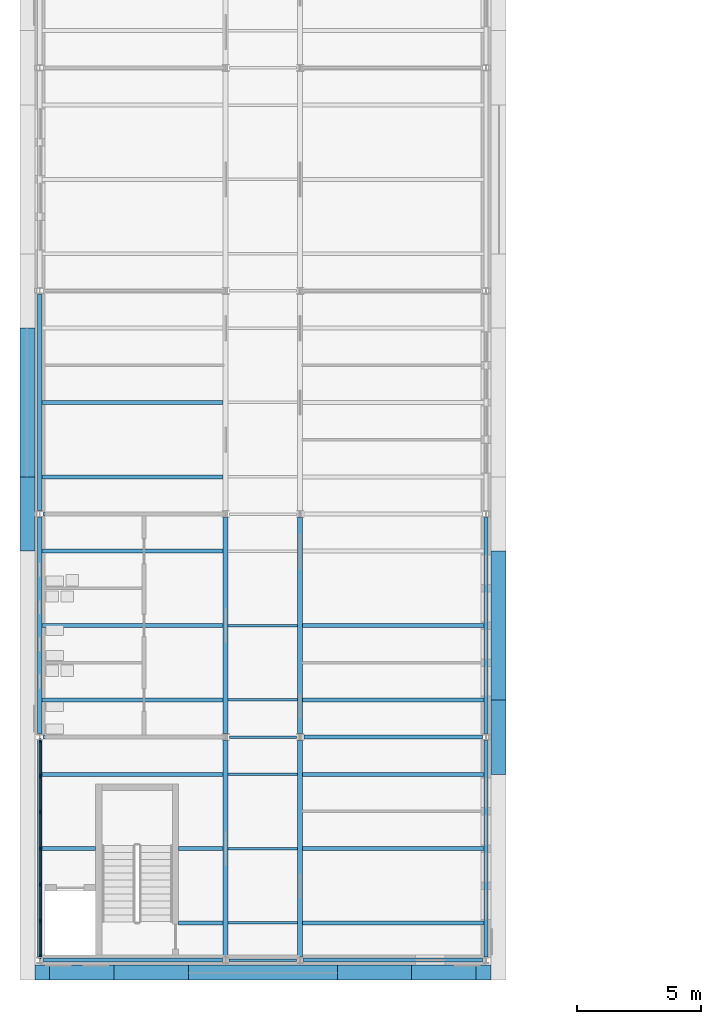
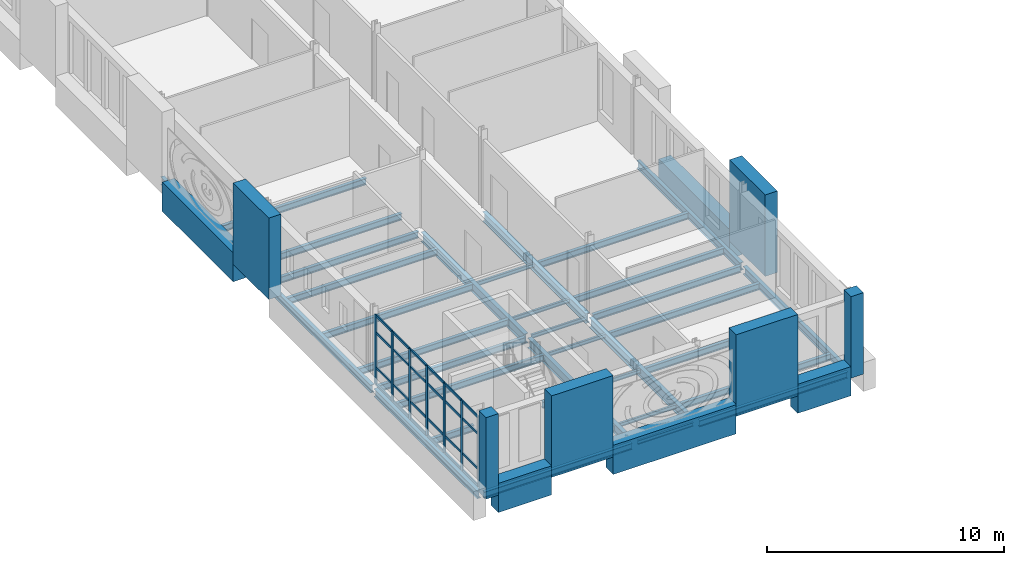
# One storey, part 16 of 121: 40 beams, 37 members, 1 element without a shape of its own.
"""IFC4 building model written with IfcOpenShell, lengths in metres."""

from ifc_helpers import new_model, si_unit, direction, frame, origin, origin_2d, place, context, subcontext, project, spatial, rectangle, i_section, extrude, material, layer, layer_set, material_profile, profile_set, type_object, element, aggregate, save


model = new_model("IFC4")

# Units and contexts
model_context = context("Model", 3, precision=1e-05, world=origin(), true_north=direction((0.0, 1.0)))
body_context = subcontext(model_context, "Body", "Model", "MODEL_VIEW")
ifc_project = project(units=[si_unit("LENGTHUNIT", "METRE"), si_unit("AREAUNIT", "SQUARE_METRE"), si_unit("VOLUMEUNIT", "CUBIC_METRE"), si_unit("PLANEANGLEUNIT", "RADIAN"), si_unit("MASSUNIT", "GRAM", prefix="KILO")], contexts=[model_context])

# Site, building, storey
site_placement = place(None, origin())
site = spatial("IfcSite", under=ifc_project, at=site_placement, CompositionType="ELEMENT")
building_placement = place(site_placement, origin())
building = spatial("IfcBuilding", under=site, at=building_placement, Name="Golden Quay Civic Hall", CompositionType="ELEMENT")
storey_placement = place(building_placement, frame((0.0, 0.0, 18.60009765625)))
storey = spatial("IfcBuildingStorey", under=building, at=storey_placement, Name="L04", CompositionType="ELEMENT", Elevation=18.60009765625)

# Curtain wall, members
ifc_material_1 = material(Name="Glass, laminated double glazed", Category="glass")
ifc_layer = layer(ifc_material_1, 0.199951171875)
ifc_layer_set = layer_set([ifc_layer], Name="Glazed core strip curtain wall")
curtain_wall_type = type_object("IfcCurtainWallType", Name="Glazed core strip curtain wall", PredefinedType="NOTDEFINED", material=ifc_layer_set)
curtain_wall_placement = place(storey_placement, origin())
curtain_wall = element("IfcCurtainWall", 1, at=curtain_wall_placement, inside=storey, type_object=curtain_wall_type, Name="Glazed core strip curtain wall L04 1", PredefinedType="NOTDEFINED")
ifc_material_2 = material(Name="Aluminium, anodised", Category="aluminium")
ifc_material_profile_1 = material_profile(ifc_material_2, rectangle(XDim=0.06005859375, YDim=0.159912109375, at=origin_2d()), Name="Aluminium 60 x 160")
ifc_profile_set_1 = profile_set([ifc_material_profile_1], Name="Aluminium, anodised")
member_type_1 = type_object("IfcMemberType", Name="Aluminium mullion 60 x 160", PredefinedType="MULLION", material=ifc_profile_set_1)
member_1_placement = place(storey_placement, frame((0.0, -8.85498046875, 0.0), z_axis=(0.0, 0.0, 1.0), x_axis=(-1.0, 0.0, 0.0)))
member_1 = element("IfcMember", 2, at=member_1_placement, type_object=member_type_1, Name="CW2 mullion 1", PredefinedType="MULLION", context=body_context, shape_type="SweptSolid", body=[
    extrude(rectangle(XDim=0.06005859375, YDim=0.159912109375, at=origin_2d()), origin(), (0.0, 0.0, 1.0), 3.599853515625),
])
member_2_placement = place(storey_placement, frame((0.0, -7.42333984375, 0.0), z_axis=(0.0, 0.0, 1.0), x_axis=(-1.0, 0.0, 0.0)))
member_2 = element("IfcMember", 3, at=member_2_placement, type_object=member_type_1, Name="CW2 mullion 2", PredefinedType="MULLION", context=body_context, shape_type="SweptSolid", body=[
    extrude(rectangle(XDim=0.06005859375, YDim=0.159912109375, at=origin_2d()), origin(), (0.0, 0.0, 1.0), 3.599853515625),
])
member_3_placement = place(storey_placement, frame((0.0, -5.961669921875, 0.0), z_axis=(0.0, 0.0, 1.0), x_axis=(-1.0, 0.0, 0.0)))
member_3 = element("IfcMember", 4, at=member_3_placement, type_object=member_type_1, Name="CW2 mullion 3", PredefinedType="MULLION", context=body_context, shape_type="SweptSolid", body=[
    extrude(rectangle(XDim=0.06005859375, YDim=0.159912109375, at=origin_2d()), origin(), (0.0, 0.0, 1.0), 3.599853515625),
])
member_4_placement = place(storey_placement, frame((0.0, -4.5, 0.0), z_axis=(0.0, 0.0, 1.0), x_axis=(-1.0, 0.0, 0.0)))
member_4 = element("IfcMember", 5, at=member_4_placement, type_object=member_type_1, Name="CW2 mullion 4", PredefinedType="MULLION", context=body_context, shape_type="SweptSolid", body=[
    extrude(rectangle(XDim=0.06005859375, YDim=0.159912109375, at=origin_2d()), origin(), (0.0, 0.0, 1.0), 3.599853515625),
])
member_5_placement = place(storey_placement, frame((0.0, -3.038330078125, 0.0), z_axis=(0.0, 0.0, 1.0), x_axis=(-1.0, 0.0, 0.0)))
member_5 = element("IfcMember", 6, at=member_5_placement, type_object=member_type_1, Name="CW2 mullion 5", PredefinedType="MULLION", context=body_context, shape_type="SweptSolid", body=[
    extrude(rectangle(XDim=0.06005859375, YDim=0.159912109375, at=origin_2d()), origin(), (0.0, 0.0, 1.0), 3.599853515625),
])
member_6_placement = place(storey_placement, frame((0.0, -1.57666015625, 0.0), z_axis=(0.0, 0.0, 1.0), x_axis=(-1.0, 0.0, 0.0)))
member_6 = element("IfcMember", 7, at=member_6_placement, type_object=member_type_1, Name="CW2 mullion 6", PredefinedType="MULLION", context=body_context, shape_type="SweptSolid", body=[
    extrude(rectangle(XDim=0.06005859375, YDim=0.159912109375, at=origin_2d()), origin(), (0.0, 0.0, 1.0), 3.599853515625),
])
member_7_placement = place(storey_placement, frame((0.0, -0.14501953125, 0.0), z_axis=(0.0, 0.0, 1.0), x_axis=(-1.0, 0.0, 0.0)))
member_7 = element("IfcMember", 8, at=member_7_placement, type_object=member_type_1, Name="CW2 mullion 7", PredefinedType="MULLION", context=body_context, shape_type="SweptSolid", body=[
    extrude(rectangle(XDim=0.06005859375, YDim=0.159912109375, at=origin_2d()), origin(), (0.0, 0.0, 1.0), 3.599853515625),
])
ifc_material_3 = material(Name="Aluminium, anodised", Category="aluminium")
ifc_material_profile_2 = material_profile(ifc_material_3, rectangle(XDim=0.06005859375, YDim=0.1201171875, at=origin_2d()), Name="Aluminium 60 x 120")
ifc_profile_set_2 = profile_set([ifc_material_profile_2], Name="Aluminium, anodised")
member_type_2 = type_object("IfcMemberType", Name="Aluminium transom 60 x 120", PredefinedType="USERDEFINED", material=ifc_profile_set_2)
member_8_placement = place(storey_placement, frame((0.0, -8.824951171875, 0.02978515625), z_axis=(0.0, 1.0, 0.0), x_axis=(-1.0, 0.0, 0.0)))
member_8 = element("IfcMember", 9, at=member_8_placement, type_object=member_type_2, Name="CW2 transom 1.1", ObjectType="TRANSOM", PredefinedType="USERDEFINED", context=body_context, shape_type="SweptSolid", body=[
    extrude(rectangle(XDim=0.06005859375, YDim=0.1201171875, at=origin_2d()), origin(), (0.0, 0.0, 1.0), 1.37158203125),
])
member_9_placement = place(storey_placement, frame((0.0, -8.824951171875, 0.89990234375), z_axis=(0.0, 1.0, 0.0), x_axis=(-1.0, 0.0, 0.0)))
member_9 = element("IfcMember", 10, at=member_9_placement, type_object=member_type_2, Name="CW2 transom 1.2", ObjectType="TRANSOM", PredefinedType="USERDEFINED", context=body_context, shape_type="SweptSolid", body=[
    extrude(rectangle(XDim=0.06005859375, YDim=0.1201171875, at=origin_2d()), origin(), (0.0, 0.0, 1.0), 1.37158203125),
])
member_10_placement = place(storey_placement, frame((0.0, -8.824951171875, 2.699951171875), z_axis=(0.0, 1.0, 0.0), x_axis=(-1.0, 0.0, 0.0)))
member_10 = element("IfcMember", 11, at=member_10_placement, type_object=member_type_2, Name="CW2 transom 1.3", ObjectType="TRANSOM", PredefinedType="USERDEFINED", context=body_context, shape_type="SweptSolid", body=[
    extrude(rectangle(XDim=0.06005859375, YDim=0.1201171875, at=origin_2d()), origin(), (0.0, 0.0, 1.0), 1.37158203125),
])
member_11_placement = place(storey_placement, frame((0.0, -8.824951171875, 3.56982421875), z_axis=(0.0, 1.0, 0.0), x_axis=(-1.0, 0.0, 0.0)))
member_11 = element("IfcMember", 12, at=member_11_placement, type_object=member_type_2, Name="CW2 transom 1.4", ObjectType="TRANSOM", PredefinedType="USERDEFINED", context=body_context, shape_type="SweptSolid", body=[
    extrude(rectangle(XDim=0.06005859375, YDim=0.1201171875, at=origin_2d()), origin(), (0.0, 0.0, 1.0), 1.37158203125),
])
member_12_placement = place(storey_placement, frame((0.0, -7.393310546875, 0.02978515625), z_axis=(0.0, 1.0, 0.0), x_axis=(-1.0, 0.0, 0.0)))
member_12 = element("IfcMember", 13, at=member_12_placement, type_object=member_type_2, Name="CW2 transom 2.1", ObjectType="TRANSOM", PredefinedType="USERDEFINED", context=body_context, shape_type="SweptSolid", body=[
    extrude(rectangle(XDim=0.06005859375, YDim=0.1201171875, at=origin_2d()), origin(), (0.0, 0.0, 1.0), 1.401611328125),
])
member_13_placement = place(storey_placement, frame((0.0, -7.393310546875, 0.89990234375), z_axis=(0.0, 1.0, 0.0), x_axis=(-1.0, 0.0, 0.0)))
member_13 = element("IfcMember", 14, at=member_13_placement, type_object=member_type_2, Name="CW2 transom 2.2", ObjectType="TRANSOM", PredefinedType="USERDEFINED", context=body_context, shape_type="SweptSolid", body=[
    extrude(rectangle(XDim=0.06005859375, YDim=0.1201171875, at=origin_2d()), origin(), (0.0, 0.0, 1.0), 1.401611328125),
])
member_14_placement = place(storey_placement, frame((0.0, -7.393310546875, 2.699951171875), z_axis=(0.0, 1.0, 0.0), x_axis=(-1.0, 0.0, 0.0)))
member_14 = element("IfcMember", 15, at=member_14_placement, type_object=member_type_2, Name="CW2 transom 2.3", ObjectType="TRANSOM", PredefinedType="USERDEFINED", context=body_context, shape_type="SweptSolid", body=[
    extrude(rectangle(XDim=0.06005859375, YDim=0.1201171875, at=origin_2d()), origin(), (0.0, 0.0, 1.0), 1.401611328125),
])
member_15_placement = place(storey_placement, frame((0.0, -7.393310546875, 3.56982421875), z_axis=(0.0, 1.0, 0.0), x_axis=(-1.0, 0.0, 0.0)))
member_15 = element("IfcMember", 16, at=member_15_placement, type_object=member_type_2, Name="CW2 transom 2.4", ObjectType="TRANSOM", PredefinedType="USERDEFINED", context=body_context, shape_type="SweptSolid", body=[
    extrude(rectangle(XDim=0.06005859375, YDim=0.1201171875, at=origin_2d()), origin(), (0.0, 0.0, 1.0), 1.401611328125),
])
member_16_placement = place(storey_placement, frame((0.0, -5.931640625, 0.02978515625), z_axis=(0.0, 1.0, 0.0), x_axis=(-1.0, 0.0, 0.0)))
member_16 = element("IfcMember", 17, at=member_16_placement, type_object=member_type_2, Name="CW2 transom 3.1", ObjectType="TRANSOM", PredefinedType="USERDEFINED", context=body_context, shape_type="SweptSolid", body=[
    extrude(rectangle(XDim=0.06005859375, YDim=0.1201171875, at=origin_2d()), origin(), (0.0, 0.0, 1.0), 1.401611328125),
])
member_17_placement = place(storey_placement, frame((0.0, -5.931640625, 0.89990234375), z_axis=(0.0, 1.0, 0.0), x_axis=(-1.0, 0.0, 0.0)))
member_17 = element("IfcMember", 18, at=member_17_placement, type_object=member_type_2, Name="CW2 transom 3.2", ObjectType="TRANSOM", PredefinedType="USERDEFINED", context=body_context, shape_type="SweptSolid", body=[
    extrude(rectangle(XDim=0.06005859375, YDim=0.1201171875, at=origin_2d()), origin(), (0.0, 0.0, 1.0), 1.401611328125),
])
member_18_placement = place(storey_placement, frame((0.0, -5.931640625, 2.699951171875), z_axis=(0.0, 1.0, 0.0), x_axis=(-1.0, 0.0, 0.0)))
member_18 = element("IfcMember", 19, at=member_18_placement, type_object=member_type_2, Name="CW2 transom 3.3", ObjectType="TRANSOM", PredefinedType="USERDEFINED", context=body_context, shape_type="SweptSolid", body=[
    extrude(rectangle(XDim=0.06005859375, YDim=0.1201171875, at=origin_2d()), origin(), (0.0, 0.0, 1.0), 1.401611328125),
])
member_19_placement = place(storey_placement, frame((0.0, -5.931640625, 3.56982421875), z_axis=(0.0, 1.0, 0.0), x_axis=(-1.0, 0.0, 0.0)))
member_19 = element("IfcMember", 20, at=member_19_placement, type_object=member_type_2, Name="CW2 transom 3.4", ObjectType="TRANSOM", PredefinedType="USERDEFINED", context=body_context, shape_type="SweptSolid", body=[
    extrude(rectangle(XDim=0.06005859375, YDim=0.1201171875, at=origin_2d()), origin(), (0.0, 0.0, 1.0), 1.401611328125),
])
member_20_placement = place(storey_placement, frame((0.0, -4.469970703125, 0.02978515625), z_axis=(0.0, 1.0, 0.0), x_axis=(-1.0, 0.0, 0.0)))
member_20 = element("IfcMember", 21, at=member_20_placement, type_object=member_type_2, Name="CW2 transom 4.1", ObjectType="TRANSOM", PredefinedType="USERDEFINED", context=body_context, shape_type="SweptSolid", body=[
    extrude(rectangle(XDim=0.06005859375, YDim=0.1201171875, at=origin_2d()), origin(), (0.0, 0.0, 1.0), 1.401611328125),
])
member_21_placement = place(storey_placement, frame((0.0, -4.469970703125, 0.89990234375), z_axis=(0.0, 1.0, 0.0), x_axis=(-1.0, 0.0, 0.0)))
member_21 = element("IfcMember", 22, at=member_21_placement, type_object=member_type_2, Name="CW2 transom 4.2", ObjectType="TRANSOM", PredefinedType="USERDEFINED", context=body_context, shape_type="SweptSolid", body=[
    extrude(rectangle(XDim=0.06005859375, YDim=0.1201171875, at=origin_2d()), origin(), (0.0, 0.0, 1.0), 1.401611328125),
])
member_22_placement = place(storey_placement, frame((0.0, -4.469970703125, 2.699951171875), z_axis=(0.0, 1.0, 0.0), x_axis=(-1.0, 0.0, 0.0)))
member_22 = element("IfcMember", 23, at=member_22_placement, type_object=member_type_2, Name="CW2 transom 4.3", ObjectType="TRANSOM", PredefinedType="USERDEFINED", context=body_context, shape_type="SweptSolid", body=[
    extrude(rectangle(XDim=0.06005859375, YDim=0.1201171875, at=origin_2d()), origin(), (0.0, 0.0, 1.0), 1.401611328125),
])
member_23_placement = place(storey_placement, frame((0.0, -4.469970703125, 3.56982421875), z_axis=(0.0, 1.0, 0.0), x_axis=(-1.0, 0.0, 0.0)))
member_23 = element("IfcMember", 24, at=member_23_placement, type_object=member_type_2, Name="CW2 transom 4.4", ObjectType="TRANSOM", PredefinedType="USERDEFINED", context=body_context, shape_type="SweptSolid", body=[
    extrude(rectangle(XDim=0.06005859375, YDim=0.1201171875, at=origin_2d()), origin(), (0.0, 0.0, 1.0), 1.401611328125),
])
member_24_placement = place(storey_placement, frame((0.0, -3.00830078125, 0.02978515625), z_axis=(0.0, 1.0, 0.0), x_axis=(-1.0, 0.0, 0.0)))
member_24 = element("IfcMember", 25, at=member_24_placement, type_object=member_type_2, Name="CW2 transom 5.1", ObjectType="TRANSOM", PredefinedType="USERDEFINED", context=body_context, shape_type="SweptSolid", body=[
    extrude(rectangle(XDim=0.06005859375, YDim=0.1201171875, at=origin_2d()), origin(), (0.0, 0.0, 1.0), 1.401611328125),
])
member_25_placement = place(storey_placement, frame((0.0, -3.00830078125, 0.89990234375), z_axis=(0.0, 1.0, 0.0), x_axis=(-1.0, 0.0, 0.0)))
member_25 = element("IfcMember", 26, at=member_25_placement, type_object=member_type_2, Name="CW2 transom 5.2", ObjectType="TRANSOM", PredefinedType="USERDEFINED", context=body_context, shape_type="SweptSolid", body=[
    extrude(rectangle(XDim=0.06005859375, YDim=0.1201171875, at=origin_2d()), origin(), (0.0, 0.0, 1.0), 1.401611328125),
])
member_26_placement = place(storey_placement, frame((0.0, -3.00830078125, 2.699951171875), z_axis=(0.0, 1.0, 0.0), x_axis=(-1.0, 0.0, 0.0)))
member_26 = element("IfcMember", 27, at=member_26_placement, type_object=member_type_2, Name="CW2 transom 5.3", ObjectType="TRANSOM", PredefinedType="USERDEFINED", context=body_context, shape_type="SweptSolid", body=[
    extrude(rectangle(XDim=0.06005859375, YDim=0.1201171875, at=origin_2d()), origin(), (0.0, 0.0, 1.0), 1.401611328125),
])
member_27_placement = place(storey_placement, frame((0.0, -3.00830078125, 3.56982421875), z_axis=(0.0, 1.0, 0.0), x_axis=(-1.0, 0.0, 0.0)))
member_27 = element("IfcMember", 28, at=member_27_placement, type_object=member_type_2, Name="CW2 transom 5.4", ObjectType="TRANSOM", PredefinedType="USERDEFINED", context=body_context, shape_type="SweptSolid", body=[
    extrude(rectangle(XDim=0.06005859375, YDim=0.1201171875, at=origin_2d()), origin(), (0.0, 0.0, 1.0), 1.401611328125),
])
member_28_placement = place(storey_placement, frame((0.0, -1.546630859375, 0.02978515625), z_axis=(0.0, 1.0, 0.0), x_axis=(-1.0, 0.0, 0.0)))
member_28 = element("IfcMember", 29, at=member_28_placement, type_object=member_type_2, Name="CW2 transom 6.1", ObjectType="TRANSOM", PredefinedType="USERDEFINED", context=body_context, shape_type="SweptSolid", body=[
    extrude(rectangle(XDim=0.06005859375, YDim=0.1201171875, at=origin_2d()), origin(), (0.0, 0.0, 1.0), 1.37158203125),
])
member_29_placement = place(storey_placement, frame((0.0, -1.546630859375, 0.89990234375), z_axis=(0.0, 1.0, 0.0), x_axis=(-1.0, 0.0, 0.0)))
member_29 = element("IfcMember", 30, at=member_29_placement, type_object=member_type_2, Name="CW2 transom 6.2", ObjectType="TRANSOM", PredefinedType="USERDEFINED", context=body_context, shape_type="SweptSolid", body=[
    extrude(rectangle(XDim=0.06005859375, YDim=0.1201171875, at=origin_2d()), origin(), (0.0, 0.0, 1.0), 1.37158203125),
])
member_30_placement = place(storey_placement, frame((0.0, -1.546630859375, 2.699951171875), z_axis=(0.0, 1.0, 0.0), x_axis=(-1.0, 0.0, 0.0)))
member_30 = element("IfcMember", 31, at=member_30_placement, type_object=member_type_2, Name="CW2 transom 6.3", ObjectType="TRANSOM", PredefinedType="USERDEFINED", context=body_context, shape_type="SweptSolid", body=[
    extrude(rectangle(XDim=0.06005859375, YDim=0.1201171875, at=origin_2d()), origin(), (0.0, 0.0, 1.0), 1.37158203125),
])
member_31_placement = place(storey_placement, frame((0.0, -1.546630859375, 3.56982421875), z_axis=(0.0, 1.0, 0.0), x_axis=(-1.0, 0.0, 0.0)))
member_31 = element("IfcMember", 32, at=member_31_placement, type_object=member_type_2, Name="CW2 transom 6.4", ObjectType="TRANSOM", PredefinedType="USERDEFINED", context=body_context, shape_type="SweptSolid", body=[
    extrude(rectangle(XDim=0.06005859375, YDim=0.1201171875, at=origin_2d()), origin(), (0.0, 0.0, 1.0), 1.37158203125),
])
aggregate(curtain_wall, [member_1, member_2, member_3, member_4, member_5, member_6, member_7, member_8, member_9, member_10, member_11, member_12, member_13, member_14, member_15, member_16, member_17, member_18, member_19, member_20, member_21, member_22, member_23, member_24, member_25, member_26, member_27, member_28, member_29, member_30, member_31])

# Members
ifc_material_4 = material(Name="Concrete C40/50", Category="concrete")
ifc_material_profile_3 = material_profile(ifc_material_4, rectangle(XDim=3.0, YDim=0.60009765625, at=origin_2d()), Name="RC 3000x600")
ifc_profile_set_3 = profile_set([ifc_material_profile_3], Name="Concrete C40/50")
member_type_3 = type_object("IfcMemberType", Name="Precast concrete facade pier 3000 x 600", PredefinedType="POST", material=ifc_profile_set_3)
for number, where, z_axis, x_axis, name in (
    (33, (-0.5, 9.0, 0.0), (0.0, 0.0, 1.0), (0.0, 1.0, 0.0), "Precast concrete facade pier 3000 x 600 L04 1"),
    (34, (18.5, 0.0, 0.0), (0.0, 0.0, 1.0), (0.0, 1.0, 0.0), "Precast concrete facade pier 3000 x 600 L04 11"),
    (35, (4.5, -9.5, 0.0), (0.0, 0.0, 1.0), (1.0, 0.0, 0.0), "Precast concrete facade pier 3000 x 600 L04 17"),
    (36, (13.5, -9.5, 0.0), (0.0, 0.0, 1.0), (1.0, 0.0, 0.0), "Precast concrete facade pier 3000 x 600 L04 18"),
):
    element("IfcMember", number, at=place(storey_placement, frame(where, z_axis=z_axis, x_axis=x_axis)), inside=storey, type_object=member_type_3, Name=name, PredefinedType="POST", context=body_context, shape_type="SweptSolid", body=[
        extrude(rectangle(XDim=3.0, YDim=0.60009765625, at=origin_2d()), origin(), (0.0, 0.0, 1.0), 4.199951171875),
    ])
ifc_material_5 = material(Name="Concrete C40/50", Category="concrete")
ifc_material_profile_4 = material_profile(ifc_material_5, rectangle(XDim=0.60009765625, YDim=0.60009765625, at=origin_2d()), Name="RC 600x600")
ifc_profile_set_4 = profile_set([ifc_material_profile_4], Name="Concrete C40/50")
member_type_4 = type_object("IfcMemberType", Name="Precast concrete facade post 600 x 600", PredefinedType="POST", material=ifc_profile_set_4)
for number, where, z_axis, x_axis, name in (
    (37, (0.10009765625, -9.5, 0.0), (0.0, 0.0, 1.0), (1.0, 0.0, 0.0), "Precast concrete facade post 600 x 600 L04 4"),
    (38, (17.89990234375, -9.5, 0.0), (0.0, 0.0, 1.0), (1.0, 0.0, 0.0), "Precast concrete facade post 600 x 600 L04 5"),
):
    element("IfcMember", number, at=place(storey_placement, frame(where, z_axis=z_axis, x_axis=x_axis)), inside=storey, type_object=member_type_4, Name=name, PredefinedType="POST", context=body_context, shape_type="SweptSolid", body=[
        extrude(rectangle(XDim=0.60009765625, YDim=0.60009765625, at=origin_2d()), origin(), (0.0, 0.0, 1.0), 4.199951171875),
    ])

# Beams
ifc_material_6 = material(Name="Concrete C40/50", Category="concrete")
ifc_material_profile_5 = material_profile(ifc_material_6, rectangle(XDim=0.60009765625, YDim=1.5, at=origin_2d()), Name="RC 600x1500")
ifc_profile_set_5 = profile_set([ifc_material_profile_5], Name="Concrete C40/50")
beam_type_1 = type_object("IfcBeamType", Name="Precast concrete spandrel beam 600 x 1500", PredefinedType="SPANDREL", material=ifc_profile_set_5)
beam_1_placement = place(storey_placement, frame((-0.5, 10.5, -0.150146484375), z_axis=(0.0, 1.0, 0.0), x_axis=(-1.0, 0.0, 0.0)))
element("IfcBeam", 39, at=beam_1_placement, inside=storey, type_object=beam_type_1, Name="Precast concrete spandrel beam 600 x 1500 L04 11", PredefinedType="SPANDREL", context=body_context, shape_type="SweptSolid", body=[
    extrude(rectangle(XDim=0.60009765625, YDim=1.5, at=origin_2d()), origin(), (0.0, 0.0, 1.0), 6.0),
])
for number, where, z_axis, x_axis, name in (
    (40, (0.39990234375, -9.5, -0.150146484375), (1.0, 0.0, 0.0), (0.0, 1.0, 0.0), "Precast concrete spandrel beam 600 x 1500 L04 12"),
    (41, (15.0, -9.5, -0.150146484375), (1.0, 0.0, 0.0), (0.0, 1.0, 0.0), "Precast concrete spandrel beam 600 x 1500 L04 13"),
):
    element("IfcBeam", number, at=place(storey_placement, frame(where, z_axis=z_axis, x_axis=x_axis)), inside=storey, type_object=beam_type_1, Name=name, PredefinedType="SPANDREL", context=body_context, shape_type="SweptSolid", body=[
        extrude(rectangle(XDim=0.60009765625, YDim=1.5, at=origin_2d()), origin(), (0.0, 0.0, 1.0), 2.60009765625),
    ])
for number, where, z_axis, x_axis, name in (
    (42, (6.0, -9.5, -0.150146484375), (1.0, 0.0, 0.0), (0.0, 1.0, 0.0), "Precast concrete spandrel beam 600 x 1500 L04 14"),
    (43, (18.5, 1.5, -0.150146484375), (0.0, 1.0, 0.0), (-1.0, 0.0, 0.0), "Precast concrete spandrel beam 600 x 1500 L04 19"),
):
    element("IfcBeam", number, at=place(storey_placement, frame(where, z_axis=z_axis, x_axis=x_axis)), inside=storey, type_object=beam_type_1, Name=name, PredefinedType="SPANDREL", context=body_context, shape_type="SweptSolid", body=[
        extrude(rectangle(XDim=0.60009765625, YDim=1.5, at=origin_2d()), origin(), (0.0, 0.0, 1.0), 6.0),
    ])
ifc_material_7 = material(Name="Steel S355", Category="steel")
ifc_material_profile_6 = material_profile(ifc_material_7, i_section(OverallWidth=0.10009765625, OverallDepth=0.199951171875, WebThickness=0.005615234375, FlangeThickness=0.008544921875, FilletRadius=0.011962890625, at=origin_2d()), Name="IPE 200")
ifc_profile_set_6 = profile_set([ifc_material_profile_6], Name="Steel S355")
beam_type_2 = type_object("IfcBeamType", Name="Steel beam IPE 200", PredefinedType="BEAM", material=ifc_profile_set_6)
beam_2_placement = place(storey_placement, frame((7.639892578125, -9.0, -0.300048828125), z_axis=(1.0, 0.0, 0.0), x_axis=(0.0, 1.0, 0.0)))
element("IfcBeam", 44, at=beam_2_placement, inside=storey, type_object=beam_type_2, Name="Beam S-9-7.5", PredefinedType="BEAM", context=body_context, shape_type="SweptSolid", body=[
    extrude(i_section(OverallWidth=0.10009765625, OverallDepth=0.199951171875, WebThickness=0.005615234375, FlangeThickness=0.008544921875, FilletRadius=0.011962890625, at=origin_2d()), origin(), (0.0, 0.0, 1.0), 2.72021484375),
])
beam_3_placement = place(storey_placement, frame((7.64990234375, 0.0, -0.300048828125), z_axis=(1.0, 0.0, 0.0), x_axis=(0.0, 1.0, 0.0)))
element("IfcBeam", 45, at=beam_3_placement, inside=storey, type_object=beam_type_2, Name="Beam S0-7.5", PredefinedType="BEAM", context=body_context, shape_type="SweptSolid", body=[
    extrude(i_section(OverallWidth=0.10009765625, OverallDepth=0.199951171875, WebThickness=0.005615234375, FlangeThickness=0.008544921875, FilletRadius=0.011962890625, at=origin_2d()), origin(), (0.0, 0.0, 1.0), 2.7001953125),
])
ifc_material_8 = material(Name="Steel S355", Category="steel")
ifc_material_profile_7 = material_profile(ifc_material_8, i_section(OverallWidth=0.159912109375, OverallDepth=0.330078125, WebThickness=0.007568359375, FlangeThickness=0.011474609375, FilletRadius=0.01806640625, at=origin_2d()), Name="IPE 330")
ifc_profile_set_7 = profile_set([ifc_material_profile_7], Name="Steel S355")
beam_type_3 = type_object("IfcBeamType", Name="Steel beam IPE 330", PredefinedType="BEAM", material=ifc_profile_set_7)
for number, where, z_axis, x_axis, name in (
    (46, (0.139892578125, -9.0, -0.364990234375), (1.0, 0.0, 0.0), (0.0, 1.0, 0.0), "Beam S-9-0"),
    (47, (10.639892578125, -9.0, -0.364990234375), (1.0, 0.0, 0.0), (0.0, 1.0, 0.0), "Beam S-9-10.5"),
):
    element("IfcBeam", number, at=place(storey_placement, frame(where, z_axis=z_axis, x_axis=x_axis)), inside=storey, type_object=beam_type_3, Name=name, PredefinedType="BEAM", context=body_context, shape_type="SweptSolid", body=[
        extrude(i_section(OverallWidth=0.159912109375, OverallDepth=0.330078125, WebThickness=0.007568359375, FlangeThickness=0.011474609375, FilletRadius=0.01806640625, at=origin_2d()), origin(), (0.0, 0.0, 1.0), 7.22021484375),
    ])
for number, where, z_axis, x_axis, name in (
    (48, (0.139892578125, 0.0, -0.364990234375), (1.0, 0.0, 0.0), (0.0, 1.0, 0.0), "Beam S0-0"),
    (49, (10.64990234375, 0.0, -0.364990234375), (1.0, 0.0, 0.0), (0.0, 1.0, 0.0), "Beam S0-10.5"),
    (50, (0.139892578125, 9.0, -0.364990234375), (1.0, 0.0, 0.0), (0.0, 1.0, 0.0), "Beam S9-0"),
):
    element("IfcBeam", number, at=place(storey_placement, frame(where, z_axis=z_axis, x_axis=x_axis)), inside=storey, type_object=beam_type_3, Name=name, PredefinedType="BEAM", context=body_context, shape_type="SweptSolid", body=[
        extrude(i_section(OverallWidth=0.159912109375, OverallDepth=0.330078125, WebThickness=0.007568359375, FlangeThickness=0.011474609375, FilletRadius=0.01806640625, at=origin_2d()), origin(), (0.0, 0.0, 1.0), 7.210205078125),
    ])
ifc_material_9 = material(Name="Steel S355", Category="steel")
ifc_material_profile_8 = material_profile(ifc_material_9, i_section(OverallWidth=0.179931640625, OverallDepth=0.39990234375, WebThickness=0.008544921875, FlangeThickness=0.013427734375, FilletRadius=0.02099609375, at=origin_2d()), Name="IPE 400")
ifc_profile_set_8 = profile_set([ifc_material_profile_8], Name="Steel S355")
beam_type_4 = type_object("IfcBeamType", Name="Steel beam IPE 400", PredefinedType="BEAM", material=ifc_profile_set_8)
for number, where, z_axis, x_axis, name in (
    (51, (0.0, -8.864990234375, -0.400146484375), (0.0, 1.0, 0.0), (-1.0, 0.0, 0.0), "Beam L0--9"),
    (52, (0.0, 0.135009765625, -0.400146484375), (0.0, 1.0, 0.0), (-1.0, 0.0, 0.0), "Beam L0-0"),
    (53, (0.0, 9.135009765625, -0.400146484375), (0.0, 1.0, 0.0), (-1.0, 0.0, 0.0), "Beam L0-9"),
    (54, (18.0, -8.864990234375, -0.400146484375), (0.0, 1.0, 0.0), (-1.0, 0.0, 0.0), "Beam L18--9"),
    (55, (18.0, 0.135009765625, -0.400146484375), (0.0, 1.0, 0.0), (-1.0, 0.0, 0.0), "Beam L18-0"),
):
    element("IfcBeam", number, at=place(storey_placement, frame(where, z_axis=z_axis, x_axis=x_axis)), inside=storey, type_object=beam_type_4, Name=name, PredefinedType="BEAM", context=body_context, shape_type="SweptSolid", body=[
        extrude(i_section(OverallWidth=0.179931640625, OverallDepth=0.39990234375, WebThickness=0.008544921875, FlangeThickness=0.013427734375, FilletRadius=0.02099609375, at=origin_2d()), origin(), (0.0, 0.0, 1.0), 8.72998046875),
    ])
ifc_material_10 = material(Name="Steel S355", Category="steel")
ifc_material_profile_9 = material_profile(ifc_material_10, i_section(OverallWidth=0.199951171875, OverallDepth=0.5, WebThickness=0.01025390625, FlangeThickness=0.01611328125, FilletRadius=0.02099609375, at=origin_2d()), Name="IPE 500")
ifc_profile_set_9 = profile_set([ifc_material_profile_9], Name="Steel S355")
beam_type_5 = type_object("IfcBeamType", Name="Steel beam IPE 500", PredefinedType="BEAM", material=ifc_profile_set_9)
beam_4_placement = place(storey_placement, frame((7.5, -8.864990234375, -0.4501953125), z_axis=(0.0, 1.0, 0.0), x_axis=(-1.0, 0.0, 0.0)))
element("IfcBeam", 56, at=beam_4_placement, inside=storey, type_object=beam_type_5, Name="Beam L7.5--9", PredefinedType="BEAM", context=body_context, shape_type="SweptSolid", body=[
    extrude(i_section(OverallWidth=0.199951171875, OverallDepth=0.5, WebThickness=0.01025390625, FlangeThickness=0.01611328125, FilletRadius=0.02099609375, at=origin_2d()), origin(), (0.0, 0.0, 1.0), 8.719970703125),
])
beam_5_placement = place(storey_placement, frame((7.5, 0.14501953125, -0.4501953125), z_axis=(0.0, 1.0, 0.0), x_axis=(-1.0, 0.0, 0.0)))
element("IfcBeam", 57, at=beam_5_placement, inside=storey, type_object=beam_type_5, Name="Beam L7.5-0", PredefinedType="BEAM", context=body_context, shape_type="SweptSolid", body=[
    extrude(i_section(OverallWidth=0.199951171875, OverallDepth=0.5, WebThickness=0.01025390625, FlangeThickness=0.01611328125, FilletRadius=0.02099609375, at=origin_2d()), origin(), (0.0, 0.0, 1.0), 8.7099609375),
])
beam_6_placement = place(storey_placement, frame((10.5, -8.864990234375, -0.4501953125), z_axis=(0.0, 1.0, 0.0), x_axis=(-1.0, 0.0, 0.0)))
element("IfcBeam", 58, at=beam_6_placement, inside=storey, type_object=beam_type_5, Name="Beam L10.5--9", PredefinedType="BEAM", context=body_context, shape_type="SweptSolid", body=[
    extrude(i_section(OverallWidth=0.199951171875, OverallDepth=0.5, WebThickness=0.01025390625, FlangeThickness=0.01611328125, FilletRadius=0.02099609375, at=origin_2d()), origin(), (0.0, 0.0, 1.0), 8.719970703125),
])
beam_7_placement = place(storey_placement, frame((10.5, 0.14501953125, -0.4501953125), z_axis=(0.0, 1.0, 0.0), x_axis=(-1.0, 0.0, 0.0)))
element("IfcBeam", 59, at=beam_7_placement, inside=storey, type_object=beam_type_5, Name="Beam L10.5-0", PredefinedType="BEAM", context=body_context, shape_type="SweptSolid", body=[
    extrude(i_section(OverallWidth=0.199951171875, OverallDepth=0.5, WebThickness=0.01025390625, FlangeThickness=0.01611328125, FilletRadius=0.02099609375, at=origin_2d()), origin(), (0.0, 0.0, 1.0), 8.7099609375),
])
ifc_material_11 = material(Name="Steel S355", Category="steel")
ifc_material_profile_10 = material_profile(ifc_material_11, i_section(OverallWidth=0.10009765625, OverallDepth=0.199951171875, WebThickness=0.005615234375, FlangeThickness=0.008544921875, FilletRadius=0.011962890625, at=origin_2d()), Name="IPE 200")
ifc_profile_set_10 = profile_set([ifc_material_profile_10], Name="Steel S355")
beam_type_6 = type_object("IfcBeamType", Name="Steel joist IPE 200", PredefinedType="JOIST", material=ifc_profile_set_10)
for number, where, z_axis, x_axis, name in (
    (60, (7.60009765625, -7.5, -0.300048828125), (1.0, 0.0, 0.0), (0.0, 1.0, 0.0), "Joist J-7.5-7.5"),
    (61, (7.60009765625, -4.5, -0.300048828125), (1.0, 0.0, 0.0), (0.0, 1.0, 0.0), "Joist J-4.5-7.5"),
    (62, (7.60009765625, -1.5, -0.300048828125), (1.0, 0.0, 0.0), (0.0, 1.0, 0.0), "Joist J-1.5-7.5"),
    (63, (7.60009765625, 1.5, -0.300048828125), (1.0, 0.0, 0.0), (0.0, 1.0, 0.0), "Joist J1.5-7.5"),
    (64, (7.60009765625, 4.5, -0.300048828125), (1.0, 0.0, 0.0), (0.0, 1.0, 0.0), "Joist J4.5-7.5"),
):
    element("IfcBeam", number, at=place(storey_placement, frame(where, z_axis=z_axis, x_axis=x_axis)), inside=storey, type_object=beam_type_6, Name=name, PredefinedType="JOIST", context=body_context, shape_type="SweptSolid", body=[
        extrude(i_section(OverallWidth=0.10009765625, OverallDepth=0.199951171875, WebThickness=0.005615234375, FlangeThickness=0.008544921875, FilletRadius=0.011962890625, at=origin_2d()), origin(), (0.0, 0.0, 1.0), 2.7998046875),
    ])
ifc_material_12 = material(Name="Steel S355", Category="steel")
ifc_material_profile_11 = material_profile(ifc_material_12, i_section(OverallWidth=0.159912109375, OverallDepth=0.330078125, WebThickness=0.007568359375, FlangeThickness=0.011474609375, FilletRadius=0.01806640625, at=origin_2d()), Name="IPE 330")
ifc_profile_set_11 = profile_set([ifc_material_profile_11], Name="Steel S355")
beam_type_7 = type_object("IfcBeamType", Name="Steel joist IPE 330", PredefinedType="JOIST", material=ifc_profile_set_11)
beam_8_placement = place(storey_placement, frame((5.60009765625, -7.5, -0.364990234375), z_axis=(1.0, 0.0, 0.0), x_axis=(0.0, 1.0, 0.0)))
element("IfcBeam", 65, at=beam_8_placement, inside=storey, type_object=beam_type_7, Name="Joist J-7.5-0-1", PredefinedType="JOIST", context=body_context, shape_type="SweptSolid", body=[
    extrude(i_section(OverallWidth=0.159912109375, OverallDepth=0.330078125, WebThickness=0.007568359375, FlangeThickness=0.011474609375, FilletRadius=0.01806640625, at=origin_2d()), origin(), (0.0, 0.0, 1.0), 1.7998046875),
])
beam_9_placement = place(storey_placement, frame((10.60009765625, -7.5, -0.364990234375), z_axis=(1.0, 0.0, 0.0), x_axis=(0.0, 1.0, 0.0)))
element("IfcBeam", 66, at=beam_9_placement, inside=storey, type_object=beam_type_7, Name="Joist J-7.5-10.5", PredefinedType="JOIST", context=body_context, shape_type="SweptSolid", body=[
    extrude(i_section(OverallWidth=0.159912109375, OverallDepth=0.330078125, WebThickness=0.007568359375, FlangeThickness=0.011474609375, FilletRadius=0.01806640625, at=origin_2d()), origin(), (0.0, 0.0, 1.0), 7.309814453125),
])
beam_10_placement = place(storey_placement, frame((0.090087890625, -4.5, -0.364990234375), z_axis=(1.0, 0.0, 0.0), x_axis=(0.0, 1.0, 0.0)))
element("IfcBeam", 67, at=beam_10_placement, inside=storey, type_object=beam_type_7, Name="Joist J-4.5-0-0", PredefinedType="JOIST", context=body_context, shape_type="SweptSolid", body=[
    extrude(i_section(OverallWidth=0.159912109375, OverallDepth=0.330078125, WebThickness=0.007568359375, FlangeThickness=0.011474609375, FilletRadius=0.01806640625, at=origin_2d()), origin(), (0.0, 0.0, 1.0), 2.159912109375),
])
beam_11_placement = place(storey_placement, frame((5.60009765625, -4.5, -0.364990234375), z_axis=(1.0, 0.0, 0.0), x_axis=(0.0, 1.0, 0.0)))
element("IfcBeam", 68, at=beam_11_placement, inside=storey, type_object=beam_type_7, Name="Joist J-4.5-0-1", PredefinedType="JOIST", context=body_context, shape_type="SweptSolid", body=[
    extrude(i_section(OverallWidth=0.159912109375, OverallDepth=0.330078125, WebThickness=0.007568359375, FlangeThickness=0.011474609375, FilletRadius=0.01806640625, at=origin_2d()), origin(), (0.0, 0.0, 1.0), 1.7998046875),
])
for number, where, z_axis, x_axis, name in (
    (69, (10.60009765625, -4.5, -0.364990234375), (1.0, 0.0, 0.0), (0.0, 1.0, 0.0), "Joist J-4.5-10.5"),
    (70, (0.090087890625, -1.5, -0.364990234375), (1.0, 0.0, 0.0), (0.0, 1.0, 0.0), "Joist J-1.5-0"),
    (71, (10.60009765625, -1.5, -0.364990234375), (1.0, 0.0, 0.0), (0.0, 1.0, 0.0), "Joist J-1.5-10.5"),
    (72, (0.090087890625, 1.5, -0.364990234375), (1.0, 0.0, 0.0), (0.0, 1.0, 0.0), "Joist J1.5-0"),
    (73, (10.60009765625, 1.5, -0.364990234375), (1.0, 0.0, 0.0), (0.0, 1.0, 0.0), "Joist J1.5-10.5"),
    (74, (0.090087890625, 4.5, -0.364990234375), (1.0, 0.0, 0.0), (0.0, 1.0, 0.0), "Joist J4.5-0"),
    (75, (10.60009765625, 4.5, -0.364990234375), (1.0, 0.0, 0.0), (0.0, 1.0, 0.0), "Joist J4.5-10.5"),
    (76, (0.090087890625, 7.5, -0.364990234375), (1.0, 0.0, 0.0), (0.0, 1.0, 0.0), "Joist J7.5-0"),
    (77, (0.090087890625, 10.5, -0.364990234375), (1.0, 0.0, 0.0), (0.0, 1.0, 0.0), "Joist J10.5-0"),
    (78, (0.090087890625, 13.5, -0.364990234375), (1.0, 0.0, 0.0), (0.0, 1.0, 0.0), "Joist J13.5-0"),
):
    element("IfcBeam", number, at=place(storey_placement, frame(where, z_axis=z_axis, x_axis=x_axis)), inside=storey, type_object=beam_type_7, Name=name, PredefinedType="JOIST", context=body_context, shape_type="SweptSolid", body=[
        extrude(i_section(OverallWidth=0.159912109375, OverallDepth=0.330078125, WebThickness=0.007568359375, FlangeThickness=0.011474609375, FilletRadius=0.01806640625, at=origin_2d()), origin(), (0.0, 0.0, 1.0), 7.309814453125),
    ])

save(model, "model.ifc")
